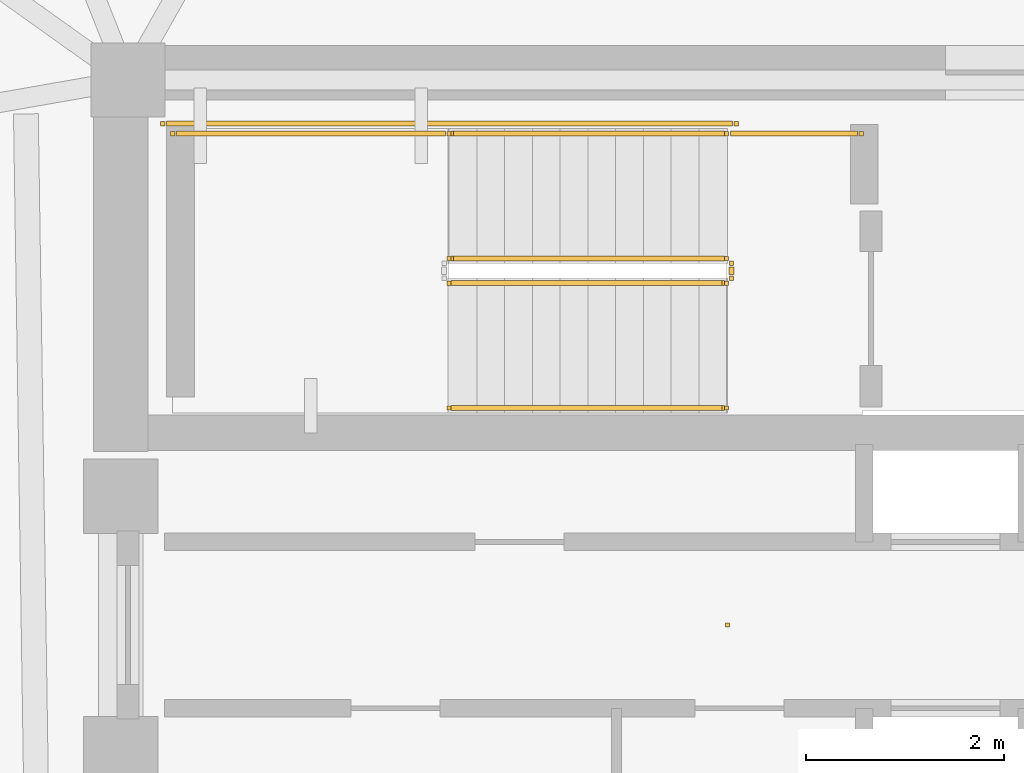
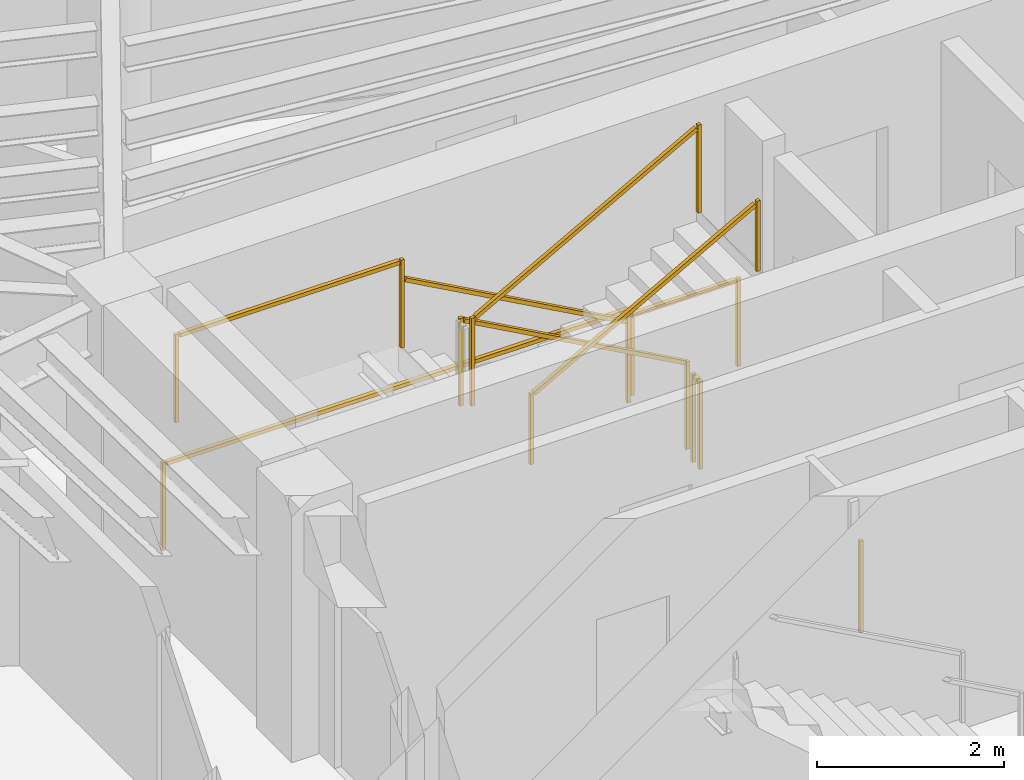
# One storey, part 8 of 9: 9 railings.
"""IFC4 building model written with IfcOpenShell, lengths in metres."""

from ifc_helpers import new_model, si_unit, direction, frame, origin, origin_2d, place, context, subcontext, project, spatial, rectangle, extrude, material, type_object, element, save


model = new_model("IFC4")

# Units and contexts
model_context = context("Model", 3, precision=1e-05, world=origin(), true_north=direction((0.0, 1.0)))
body_context = subcontext(model_context, "Body", "Model", "MODEL_VIEW")
ifc_project = project(units=[si_unit("LENGTHUNIT", "METRE"), si_unit("AREAUNIT", "SQUARE_METRE"), si_unit("VOLUMEUNIT", "CUBIC_METRE"), si_unit("PLANEANGLEUNIT", "RADIAN"), si_unit("MASSUNIT", "GRAM", prefix="KILO")], contexts=[model_context])

# Site, building, storey
site_placement = place(None, origin())
site = spatial("IfcSite", under=ifc_project, at=site_placement, CompositionType="ELEMENT")
building_placement = place(site_placement, origin())
building = spatial("IfcBuilding", under=site, at=building_placement, Name="Yunling Apex Tower", CompositionType="ELEMENT")
storey_placement = place(building_placement, frame((0.0, 0.0, 274.550048828125)))
storey = spatial("IfcBuildingStorey", under=building, at=storey_placement, Name="L67", CompositionType="ELEMENT", Elevation=274.550048828125)

# Railings
ifc_material_1 = material(Name="Bronze anodised aluminium", Category="aluminium")
railing_type_1 = type_object("IfcRailingType", Name="RL-BAL-1200", PredefinedType="BALUSTRADE", material=ifc_material_1)
railing_1_placement = place(storey_placement, origin())
element("IfcRailing", 1, at=railing_1_placement, inside=storey, type_object=railing_type_1, Name="RL-TATR-L67", PredefinedType="BALUSTRADE", context=body_context, shape_type="SweptSolid", body=[
    extrude(rectangle(XDim=0.0439453125, YDim=0.0439453125, at=origin_2d()), origin(), (0.0, 0.0, 1.0), 1.199951171875),
])
ifc_material_2 = material(Name="Steel Q355B", Category="steel")
railing_type_2 = type_object("IfcRailingType", Name="RL-GRD-1150", PredefinedType="GUARDRAIL", material=ifc_material_2)
railing_2_placement = place(storey_placement, frame((-0.010009765625, 3.699951171875, 0.154541015625)))
element("IfcRailing", 2, at=railing_2_placement, inside=storey, type_object=railing_type_2, Name="L67 ST-1 stair guard 1", PredefinedType="GUARDRAIL", context=body_context, shape_type="SweptSolid", body=[
    extrude(rectangle(XDim=0.0439453125, YDim=0.0439453125, at=origin_2d()), origin(), (0.0, 0.0, 1.0), 1.14990234375),
    extrude(rectangle(XDim=0.0439453125, YDim=0.0439453125, at=origin_2d()), frame((-2.800048828125, 0.0, 1.54541015625)), (0.0, 0.0, 1.0), 1.14990234375),
    extrude(rectangle(XDim=0.050048828125, YDim=0.050048828125, at=origin_2d()), frame((-0.033447265625, 0.0, 1.143310546875), z_axis=(-0.875504190374, 0.0, 0.483210526207), x_axis=(0.0, -1.0, 0.0)), (0.0, 0.0, 1.0), 3.12158203125),
])
railing_3_placement = place(storey_placement, frame((-2.81005859375, 4.9599609375, 1.699951171875)))
element("IfcRailing", 3, at=railing_3_placement, inside=storey, type_object=railing_type_2, Name="L67 ST-1 stair guard 3", PredefinedType="GUARDRAIL", context=body_context, shape_type="SweptSolid", body=[
    extrude(rectangle(XDim=0.0439453125, YDim=0.0439453125, at=origin_2d()), origin(), (0.0, 0.0, 1.0), 1.14990234375),
    extrude(rectangle(XDim=0.0439453125, YDim=0.0439453125, at=origin_2d()), frame((-2.7900390625, 0.0, 0.0)), (0.0, 0.0, 1.0), 1.14990234375),
    extrude(rectangle(XDim=0.050048828125, YDim=0.050048828125, at=origin_2d()), frame((-0.038330078125, 0.0, 1.125), z_axis=(-1.0, 0.0, 0.0), x_axis=(0.0, -1.0, 0.0)), (0.0, 0.0, 1.0), 2.71337890625),
])
railing_4_placement = place(storey_placement, frame((-2.81005859375, 3.449951171875, 1.8544921875)))
element("IfcRailing", 4, at=railing_4_placement, inside=storey, type_object=railing_type_2, Name="L67 ST-1 stair guard 4", PredefinedType="GUARDRAIL", context=body_context, shape_type="SweptSolid", body=[
    extrude(rectangle(XDim=0.0439453125, YDim=0.0439453125, at=origin_2d()), origin(), (0.0, 0.0, 1.0), 1.14990234375),
    extrude(rectangle(XDim=0.0439453125, YDim=0.0439453125, at=origin_2d()), frame((2.800048828125, 0.0, 1.54541015625)), (0.0, 0.0, 1.0), 1.14990234375),
    extrude(rectangle(XDim=0.050048828125, YDim=0.050048828125, at=origin_2d()), frame((0.033447265625, 0.0, 1.143310546875), z_axis=(0.875504190374, 0.0, 0.483210526207), x_axis=(0.0, 1.0, 0.0)), (0.0, 0.0, 1.0), 3.12158203125),
])
railing_5_placement = place(storey_placement, frame((0.0400390625, 3.64990234375, 0.0)))
element("IfcRailing", 5, at=railing_5_placement, inside=storey, type_object=railing_type_2, Name="L67 ST-1 stair guard 5", PredefinedType="GUARDRAIL", context=body_context, shape_type="SweptSolid", body=[
    extrude(rectangle(XDim=0.0439453125, YDim=0.0439453125, at=origin_2d()), origin(), (0.0, 0.0, 1.0), 1.14990234375),
    extrude(rectangle(XDim=0.0439453125, YDim=0.0439453125, at=origin_2d()), frame((0.0, -0.14990234375, 0.0)), (0.0, 0.0, 1.0), 1.14990234375),
    extrude(rectangle(XDim=0.050048828125, YDim=0.050048828125, at=origin_2d()), frame((0.0, -0.038330078125, 1.125), z_axis=(0.0, -1.0, 0.0), x_axis=(1.0, 0.0, 0.0)), (0.0, 0.0, 1.0), 0.0732421875),
])
railing_6_placement = place(storey_placement, frame((1.35009765625, 4.9599609375, 0.0)))
element("IfcRailing", 6, at=railing_6_placement, inside=storey, type_object=railing_type_2, Name="L67 ST-1 stair guard 6", PredefinedType="GUARDRAIL", context=body_context, shape_type="SweptSolid", body=[
    extrude(rectangle(XDim=0.0439453125, YDim=0.0439453125, at=origin_2d()), origin(), (0.0, 0.0, 1.0), 1.14990234375),
    extrude(rectangle(XDim=0.0439453125, YDim=0.0439453125, at=origin_2d()), frame((-1.360107421875, 0.0, 0.0)), (0.0, 0.0, 1.0), 1.14990234375),
    extrude(rectangle(XDim=0.050048828125, YDim=0.050048828125, at=origin_2d()), frame((-0.038330078125, 0.0, 1.125), z_axis=(-1.0, 0.0, 0.0), x_axis=(0.0, -1.0, 0.0)), (0.0, 0.0, 1.0), 1.283447265625),
])
railing_7_placement = place(storey_placement, frame((0.090087890625, 5.06005859375, 0.0)))
element("IfcRailing", 7, at=railing_7_placement, inside=storey, type_object=railing_type_2, Name="L67 ST-1 stair guard 7", PredefinedType="GUARDRAIL", context=body_context, shape_type="SweptSolid", body=[
    extrude(rectangle(XDim=0.0439453125, YDim=0.0439453125, at=origin_2d()), origin(), (0.0, 0.0, 1.0), 1.14990234375),
    extrude(rectangle(XDim=0.0439453125, YDim=0.0439453125, at=origin_2d()), frame((-5.7900390625, 0.0, 0.0)), (0.0, 0.0, 1.0), 1.14990234375),
    extrude(rectangle(XDim=0.050048828125, YDim=0.050048828125, at=origin_2d()), frame((-0.038330078125, 0.0, 1.125), z_axis=(-1.0, 0.0, 0.0), x_axis=(0.0, -1.0, 0.0)), (0.0, 0.0, 1.0), 5.71337890625),
])
ifc_material_3 = material(Name="Silver anodised aluminium", Category="aluminium")
railing_type_3 = type_object("IfcRailingType", Name="RL-HND-900", PredefinedType="HANDRAIL", material=ifc_material_3)
railing_8_placement = place(storey_placement, frame((-0.010009765625, 4.9599609375, 0.154541015625)))
element("IfcRailing", 8, at=railing_8_placement, inside=storey, type_object=railing_type_3, Name="L67 ST-1 stair handrail 1", PredefinedType="HANDRAIL", context=body_context, shape_type="SweptSolid", body=[
    extrude(rectangle(XDim=0.0439453125, YDim=0.0439453125, at=origin_2d()), origin(), (0.0, 0.0, 1.0), 0.919921875),
    extrude(rectangle(XDim=0.0439453125, YDim=0.0439453125, at=origin_2d()), frame((-2.800048828125, 0.0, 1.54541015625)), (0.0, 0.0, 1.0), 0.919921875),
    extrude(rectangle(XDim=0.050048828125, YDim=0.050048828125, at=origin_2d()), frame((-0.033447265625, 0.0, 0.913330078125), z_axis=(-0.875504190374, 0.0, 0.483210526207), x_axis=(0.0, -1.0, 0.0)), (0.0, 0.0, 1.0), 3.12158203125),
])
railing_9_placement = place(storey_placement, frame((-2.81005859375, 2.18994140625, 1.8544921875)))
element("IfcRailing", 9, at=railing_9_placement, inside=storey, type_object=railing_type_3, Name="L67 ST-1 stair handrail 2", PredefinedType="HANDRAIL", context=body_context, shape_type="SweptSolid", body=[
    extrude(rectangle(XDim=0.0439453125, YDim=0.0439453125, at=origin_2d()), origin(), (0.0, 0.0, 1.0), 0.919921875),
    extrude(rectangle(XDim=0.0439453125, YDim=0.0439453125, at=origin_2d()), frame((2.800048828125, 0.0, 1.54541015625)), (0.0, 0.0, 1.0), 0.919921875),
    extrude(rectangle(XDim=0.050048828125, YDim=0.050048828125, at=origin_2d()), frame((0.033447265625, 0.0, 0.913330078125), z_axis=(0.875504190374, 0.0, 0.483210526207), x_axis=(0.0, 1.0, 0.0)), (0.0, 0.0, 1.0), 3.12158203125),
])

save(model, "model.ifc")
